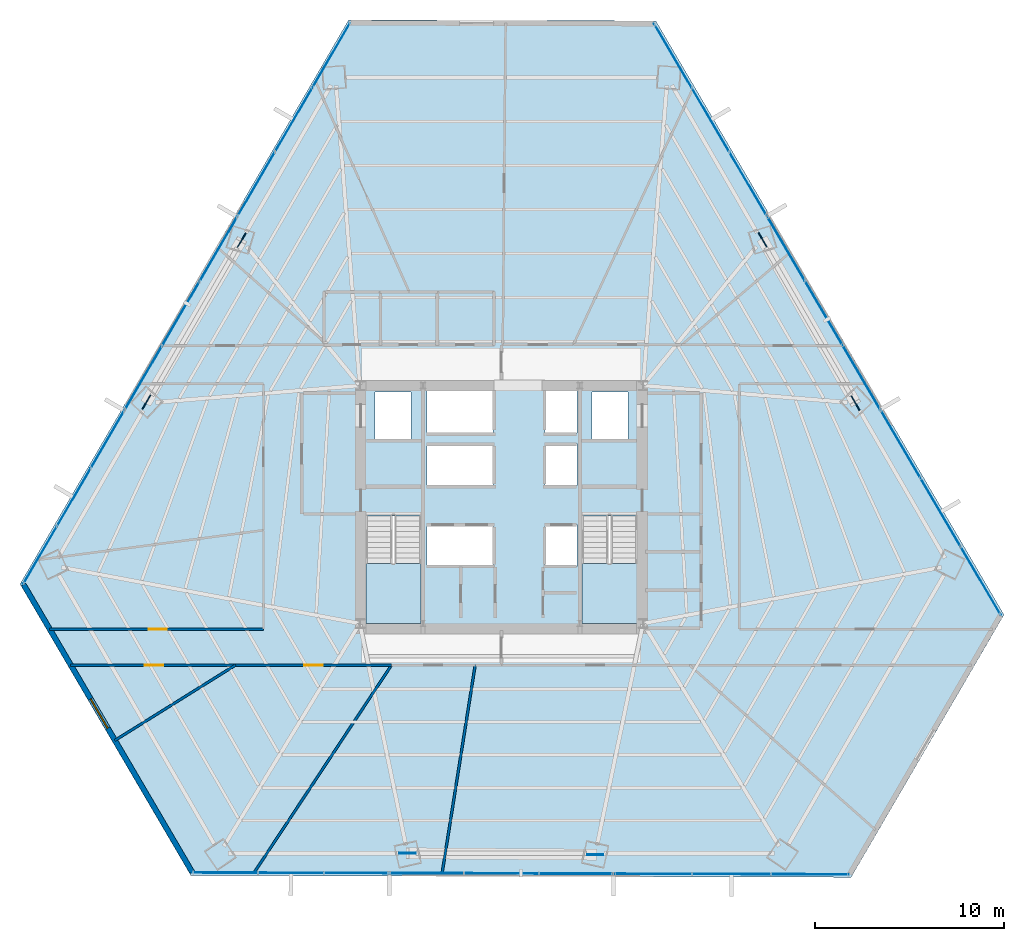
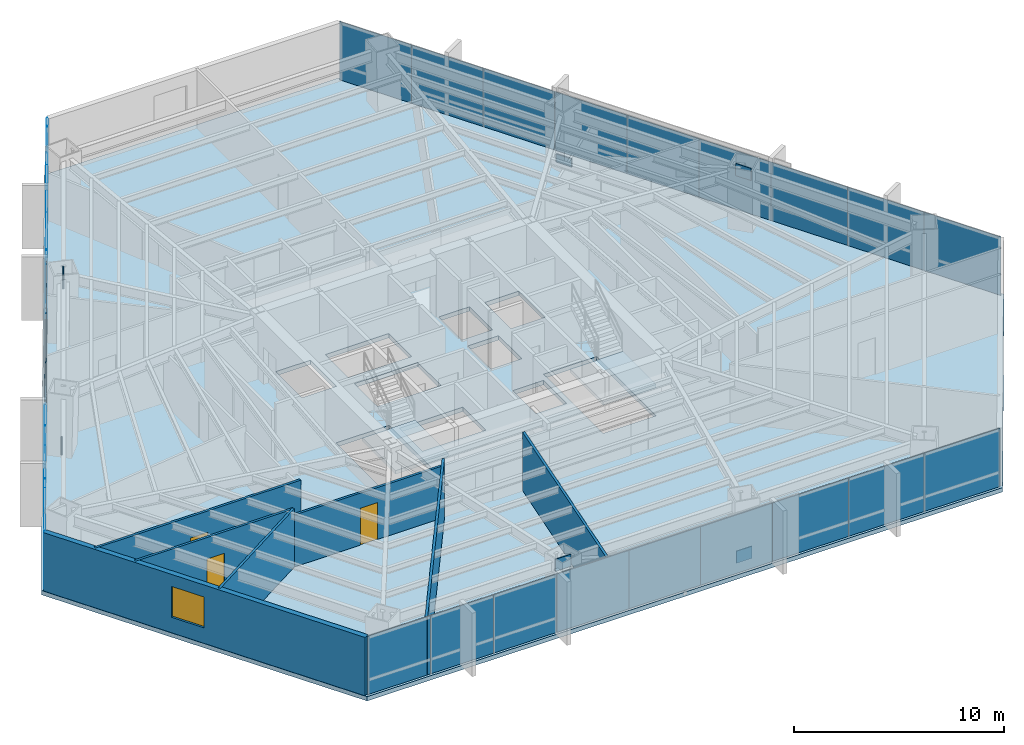
# One storey, part 31 of 37: 33 plates, 7 walls, 3 doors, 3 slabs, 1 window, 4 openings, 11 elements without a shape of their own.
"""IFC4 building model written with IfcOpenShell, lengths in metres."""

import ifcopenshell
import ifcopenshell.guid

model = None  # the IFC model being written
_history = None  # IfcOwnerHistory: only IFC2X3 demands one
_inside = {}  # id of a spatial element -> (the spatial element, [elements in it])
_under = {}  # id of a project, library or spatial element -> (it, [spatial elements below it])
_declared = {}  # id of a project -> (the project, [libraries it declares])
_typed = {}  # id of a type object -> (the type object, [elements of that type])
_made_of = {}  # id of a material, layer set ... -> (it, [elements and type objects made of it])


def new_model(schema):
    """Start an empty IFC model of exactly this schema.

    Asked for "IFC4X3", IfcOpenShell would pick the latest addendum, in which some entities
    have other attributes; the version numbers below select the first issue.
    IFC2X3 requires an IfcOwnerHistory on every rooted entity: one is made here for all.
    """
    global model, _history
    if schema == "IFC4X3":
        model = ifcopenshell.file(schema_version=(4, 3, 0, 0))
    else:
        model = ifcopenshell.file(schema=schema)
    _inside.clear()
    _under.clear()
    _declared.clear()
    _typed.clear()
    _made_of.clear()
    _history = None
    if model.schema == "IFC2X3":
        org = make("IfcOrganization", Name="unknown")
        user = make(
            "IfcPersonAndOrganization",
            ThePerson=make("IfcPerson", FamilyName="unknown"),
            TheOrganization=org,
        )
        app = make(
            "IfcApplication",
            ApplicationDeveloper=org,
            Version="unknown",
            ApplicationFullName="unknown",
            ApplicationIdentifier="unknown",
        )
        _history = make(
            "IfcOwnerHistory",
            OwningUser=user,
            OwningApplication=app,
            ChangeAction="ADDED",
            CreationDate=0,
        )
    return model


def make(cls, **values):
    """One entity of the class cls with the attributes given. An attribute that is None is left unset."""
    return model.create_entity(
        cls, **{name: value for name, value in values.items() if value is not None}
    )


def rooted(cls, **values):
    """An entity with a GlobalId (a new one), such as an element, a storey or a relation."""
    return make(cls, GlobalId=ifcopenshell.guid.new(), OwnerHistory=_history, **values)


def si_unit(unit_type, name, prefix=None):
    """IfcSIUnit, for example si_unit("LENGTHUNIT", "METRE", prefix="MILLI")."""
    return make("IfcSIUnit", UnitType=unit_type, Prefix=prefix, Name=name)


def assignment(units):
    """IfcUnitAssignment: the units of a project."""
    return None if units is None else make("IfcUnitAssignment", Units=units)


def point(xyz):
    """IfcCartesianPoint."""
    return None if xyz is None else make("IfcCartesianPoint", Coordinates=xyz)


def direction(xyz):
    """IfcDirection."""
    return None if xyz is None else make("IfcDirection", DirectionRatios=xyz)


def frame(location, z_axis=None, x_axis=None):
    """IfcAxis2Placement3D, a coordinate frame: its origin and axes. An axis left out is left unset."""
    return make(
        "IfcAxis2Placement3D",
        Location=point(location),
        Axis=direction(z_axis),
        RefDirection=direction(x_axis),
    )


def frame_2d(location, x_axis=None):
    """IfcAxis2Placement2D, a coordinate frame in the plane: its origin and x axis."""
    return make(
        "IfcAxis2Placement2D", Location=point(location), RefDirection=direction(x_axis)
    )


def origin():
    """The frame at (0, 0, 0) with its axes left unset."""
    return frame((0.0, 0.0, 0.0))


def origin_2d():
    """The frame at (0, 0) in the plane with its x axis left unset."""
    return frame_2d((0.0, 0.0))


def place(relative_to, where):
    """IfcLocalPlacement: puts the frame where relative to a parent placement (None: the world)."""
    return make(
        "IfcLocalPlacement", PlacementRelTo=relative_to, RelativePlacement=where
    )


def context(
    kind, dimensions, precision=None, world=None, true_north=None, identifier=None
):
    """IfcGeometricRepresentationContext, for example the 3D "Model" context."""
    return make(
        "IfcGeometricRepresentationContext",
        ContextIdentifier=identifier,
        ContextType=kind,
        CoordinateSpaceDimension=dimensions,
        Precision=precision,
        WorldCoordinateSystem=world,
        TrueNorth=true_north,
    )


def subcontext(parent, identifier, kind, view, scale=None):
    """IfcGeometricRepresentationSubContext, for example "Body" below "Model"."""
    return make(
        "IfcGeometricRepresentationSubContext",
        ContextIdentifier=identifier,
        ContextType=kind,
        ParentContext=parent,
        TargetScale=scale,
        TargetView=view,
    )


def project(units=None, contexts=None):
    """IfcProject with its units and contexts."""
    return rooted(
        "IfcProject",
        Name="project",
        RepresentationContexts=contexts,
        UnitsInContext=assignment(units),
    )


def spatial(cls, under=None, at=None, **own):
    """A site, building, storey or space (cls), placed at a placement, below another one or the project."""
    s = rooted(cls, ObjectPlacement=at, **own)
    if under is not None:
        _under.setdefault(under.id(), (under, []))[1].append(s)
    return s


def polyline(points):
    """IfcPolyline through the points."""
    return make("IfcPolyline", Points=[point(p) for p in points])


def profile(cls, at=None, kind="AREA", **sizes):
    """A parametric profile (cls). Its sizes go by their IFC names, for example OverallWidth=200.0."""
    return make(cls, ProfileType=kind, Position=at, **sizes)


def rectangle(**sizes):
    """IfcRectangleProfileDef."""
    return profile("IfcRectangleProfileDef", **sizes)


def outline(outer, holes=None, kind="AREA"):
    """IfcArbitraryClosedProfileDef: a profile drawn as a closed curve; with holes, ...WithVoids."""
    if holes is None:
        return make("IfcArbitraryClosedProfileDef", ProfileType=kind, OuterCurve=outer)
    return make(
        "IfcArbitraryProfileDefWithVoids",
        ProfileType=kind,
        OuterCurve=outer,
        InnerCurves=holes,
    )


def extrude(swept, where, along, depth):
    """IfcExtrudedAreaSolid: the profile swept, set in the frame where, extruded along a direction by depth."""
    return make(
        "IfcExtrudedAreaSolid",
        SweptArea=swept,
        Position=where,
        ExtrudedDirection=direction(along),
        Depth=depth,
    )


def shape(context_of_items, identifier, shape_type, items):
    """IfcShapeRepresentation: the items that make up one representation, for example the "Body"."""
    return make(
        "IfcShapeRepresentation",
        ContextOfItems=context_of_items,
        RepresentationIdentifier=identifier,
        RepresentationType=shape_type,
        Items=items,
    )


def source(mapping_origin, context_of_items, identifier, shape_type, items):
    """IfcRepresentationMap: a shape defined once, which mapped items show again and again."""
    return make(
        "IfcRepresentationMap",
        MappingOrigin=mapping_origin,
        MappedRepresentation=shape(context_of_items, identifier, shape_type, items),
    )


def transform(
    local_origin,
    x_axis=None,
    y_axis=None,
    z_axis=None,
    scale=None,
    scale2=None,
    scale3=None,
    uniform=True,
):
    """IfcCartesianTransformationOperator3D, or its non-uniform kind. x_axis, y_axis, z_axis: its Axis1, 2, 3."""
    if uniform:
        return make(
            "IfcCartesianTransformationOperator3D",
            Axis1=direction(x_axis),
            Axis2=direction(y_axis),
            LocalOrigin=point(local_origin),
            Scale=scale,
            Axis3=direction(z_axis),
        )
    return make(
        "IfcCartesianTransformationOperator3DnonUniform",
        Axis1=direction(x_axis),
        Axis2=direction(y_axis),
        LocalOrigin=point(local_origin),
        Scale=scale,
        Axis3=direction(z_axis),
        Scale2=scale2,
        Scale3=scale3,
    )


def mapped(mapping_source, mapping_target):
    """IfcMappedItem: shows the shape of a source again, moved by a transform."""
    return make(
        "IfcMappedItem", MappingSource=mapping_source, MappingTarget=mapping_target
    )


def material(Name=None, Category=None):
    """IfcMaterial."""
    return make("IfcMaterial", Name=Name, Category=Category)


def layer(
    of_material, thickness, ventilated=None, Name=None, Category=None, Priority=None
):
    """IfcMaterialLayer: one layer of a wall or slab, of a material (None: an air gap)."""
    return make(
        "IfcMaterialLayer",
        Material=of_material,
        LayerThickness=thickness,
        IsVentilated=ventilated,
        Name=Name,
        Category=Category,
        Priority=Priority,
    )


def layer_set(layers, Name=None):
    """IfcMaterialLayerSet."""
    return make("IfcMaterialLayerSet", MaterialLayers=layers, LayerSetName=Name)


def made_of(thing, what):
    """Note that an element or type object is made of a material, layer set ...; save() writes the relation."""
    if what is not None:
        _made_of.setdefault(what.id(), (what, []))[1].append(thing)
    return thing


def type_object(cls, material=None, **own):
    """A type object (cls), such as IfcWallType, which elements share."""
    return made_of(rooted(cls, **own), material)


def type_shapes(of_type, sources):
    """Give a type object the sources (RepresentationMaps) that its elements show as mapped items."""
    of_type.RepresentationMaps = sources


def element(
    cls,
    number,
    at=None,
    inside=None,
    cuts=None,
    type_object=None,
    material=None,
    context=None,
    identifier="Body",
    shape_type=None,
    held_by="IfcProductDefinitionShape",
    body=None,
    shapes=None,
    **own,
):
    """One element of the class cls, such as IfcWall. Its Tag is "e" and its number.

    at: its placement. inside: the storey or other place that contains it. cuts: it is an
    opening in that element (IfcRelVoidsElement). A single representation is given by context,
    identifier, shape_type and body (its items); several are given by shapes. held_by: the class
    of the entity that holds the representations. save() writes the other relations.
    """
    e = rooted(cls, Tag="e%d" % number, ObjectPlacement=at, **own)
    if body is not None:
        shapes = [shape(context, identifier, shape_type, body)]
    if shapes is not None:
        e.Representation = make(held_by, Representations=shapes)
    if inside is not None:
        _inside.setdefault(inside.id(), (inside, []))[1].append(e)
    if cuts is not None:
        rooted(
            "IfcRelVoidsElement", RelatingBuildingElement=cuts, RelatedOpeningElement=e
        )
    if type_object is not None:
        _typed.setdefault(type_object.id(), (type_object, []))[1].append(e)
    return made_of(e, material)


def fill(opening, filler):
    """IfcRelFillsElement: the door or window that sits in an opening."""
    return rooted(
        "IfcRelFillsElement",
        RelatingOpeningElement=opening,
        RelatedBuildingElement=filler,
    )


def aggregate(whole, parts):
    """IfcRelAggregates: a whole, such as a stair, and the parts it consists of."""
    return rooted("IfcRelAggregates", RelatingObject=whole, RelatedObjects=parts)


def save(model, path):
    """Write the relations noted so far, then the file.

    IfcRelAggregates (storeys below a building ...), IfcRelContainedInSpatialStructure (elements
    in a storey), IfcRelDefinesByType, IfcRelAssociatesMaterial and IfcRelDeclares: one each for
    every whole, place, type object, material and project.
    """
    for whole, parts in _under.values():
        aggregate(whole, parts)
    for where, things in _inside.values():
        rooted(
            "IfcRelContainedInSpatialStructure",
            RelatedElements=things,
            RelatingStructure=where,
        )
    for kind, things in _typed.values():
        rooted("IfcRelDefinesByType", RelatedObjects=things, RelatingType=kind)
    for what, things in _made_of.values():
        rooted("IfcRelAssociatesMaterial", RelatedObjects=things, RelatingMaterial=what)
    for by, libraries in _declared.values():
        rooted("IfcRelDeclares", RelatingContext=by, RelatedDefinitions=libraries)
    model.write(path)


model = new_model("IFC4")

# Units and contexts
model_context = context("Model", 3, precision=1e-05, world=origin(), true_north=direction((0.0, 1.0)))
body_context = subcontext(model_context, "Body", "Model", "MODEL_VIEW")
ifc_project = project(units=[si_unit("LENGTHUNIT", "METRE"), si_unit("AREAUNIT", "SQUARE_METRE"), si_unit("VOLUMEUNIT", "CUBIC_METRE"), si_unit("PLANEANGLEUNIT", "RADIAN"), si_unit("MASSUNIT", "GRAM", prefix="KILO")], contexts=[model_context])

# Site, building, storey
site_placement = place(None, origin())
site = spatial("IfcSite", under=ifc_project, at=site_placement, CompositionType="ELEMENT")
building_placement = place(site_placement, origin())
building = spatial("IfcBuilding", under=site, at=building_placement, Name="Caelisora Broadcast Tower", CompositionType="ELEMENT")
storey_placement = place(building_placement, frame((0.0, 0.0, 45.85009765625)))
storey = spatial("IfcBuildingStorey", under=building, at=storey_placement, Name="L11", CompositionType="ELEMENT", Elevation=45.85009765625)

# Slab
ifc_material_1 = material(Name="Concrete 40 MPa (AS 3600 N40)", Category="concrete")
ifc_layer_1 = layer(ifc_material_1, 0.25, Name="Concrete 40 MPa (AS 3600 N40)")
ifc_layer_set_1 = layer_set([ifc_layer_1], Name="Concrete 40 MPa (AS 3600 N40)")
slab_type_1 = type_object("IfcSlabType", Name="SL04", PredefinedType="FLOOR", material=ifc_layer_set_1)
slab_1_placement = place(storey_placement, frame((0.0, 0.0, -0.25)))
element("IfcSlab", 1, at=slab_1_placement, inside=storey, type_object=slab_type_1, Name="L11 suspended floor SL04", PredefinedType="FLOOR", context=body_context, shape_type="SweptSolid", body=[
    extrude(outline(polyline([(46.174072265625, 49.31103515625), (29.904052734375, 49.35693359375), (12.506103515625, 19.488037109375), (21.550048828125, 4.05908203125), (56.513916015625, 3.9619140625), (64.610107421875, 17.862060546875), (46.174072265625, 49.31103515625)]), holes=[polyline([(30.820068359375, 17.39990234375), (33.739990234375, 17.39990234375), (33.739990234375, 23.080078125), (30.820068359375, 23.080078125), (30.820068359375, 17.39990234375)]), polyline([(42.260009765625, 17.39990234375), (45.179931640625, 17.39990234375), (45.179931640625, 23.080078125), (42.260009765625, 23.080078125), (42.260009765625, 17.39990234375)]), polyline([(42.800048828125, 27.14990234375), (44.699951171875, 27.14990234375), (44.699951171875, 29.64990234375), (42.800048828125, 29.64990234375), (42.800048828125, 27.14990234375)]), polyline([(40.300048828125, 20.429931640625), (42.0, 20.429931640625), (42.0, 22.6298828125), (40.300048828125, 22.6298828125), (40.300048828125, 20.429931640625)]), polyline([(40.300048828125, 24.719970703125), (42.0, 24.719970703125), (42.0, 26.919921875), (40.300048828125, 26.919921875), (40.300048828125, 24.719970703125)]), polyline([(40.300048828125, 27.5), (42.0, 27.5), (42.0, 29.699951171875), (40.300048828125, 29.699951171875), (40.300048828125, 27.5)]), polyline([(34.050048828125, 20.429931640625), (37.550048828125, 20.429931640625), (37.550048828125, 22.6298828125), (34.050048828125, 22.6298828125), (34.050048828125, 20.429931640625)]), polyline([(34.050048828125, 24.719970703125), (37.550048828125, 24.719970703125), (37.550048828125, 26.919921875), (34.050048828125, 26.919921875), (34.050048828125, 24.719970703125)]), polyline([(34.050048828125, 27.5), (37.550048828125, 27.5), (37.550048828125, 29.699951171875), (34.050048828125, 29.699951171875), (34.050048828125, 27.5)]), polyline([(31.300048828125, 27.14990234375), (33.199951171875, 27.14990234375), (33.199951171875, 29.64990234375), (31.300048828125, 29.64990234375), (31.300048828125, 27.14990234375)])]), origin(), (0.0, 0.0, 1.0), 0.25),
])

# Stair, slab
stair_type_1 = type_object("IfcStairType", Name="ST-1", PredefinedType="HALF_TURN_STAIR", material=ifc_material_1)
stair_1_placement = place(storey_placement, origin())
stair_1 = element("IfcStair", 2, at=stair_1_placement, inside=storey, type_object=stair_type_1, Name="L11 West Fire-Isolated Tower Stair", PredefinedType="HALF_TURN_STAIR")
ifc_layer_2 = layer(ifc_material_1, 0.199951171875, Name="Concrete 40 MPa (AS 3600 N40)")
ifc_layer_set_2 = layer_set([ifc_layer_2], Name="Concrete 40 MPa (AS 3600 N40)")
slab_type_2 = type_object("IfcSlabType", Name="STL-1", PredefinedType="LANDING", material=ifc_layer_set_2)
slab_2_placement = place(storey_placement, frame((0.0, 0.0, 1.625)))
slab_2 = element("IfcSlab", 3, at=slab_2_placement, type_object=slab_type_2, Name="ST-1 landing 1", PredefinedType="LANDING", context=body_context, shape_type="SweptSolid", body=[
    extrude(outline(polyline([(30.820068359375, 20.580078125), (30.820068359375, 17.39990234375), (33.739990234375, 17.39990234375), (33.739990234375, 20.580078125), (30.820068359375, 20.580078125)])), origin(), (0.0, 0.0, 1.0), 0.199951171875),
])
aggregate(stair_1, [slab_2])

stair_type_2 = type_object("IfcStairType", Name="ST-2", PredefinedType="HALF_TURN_STAIR", material=ifc_material_1)
stair_2_placement = place(storey_placement, origin())
stair_2 = element("IfcStair", 4, at=stair_2_placement, inside=storey, type_object=stair_type_2, Name="L11 East Fire-Isolated Tower Stair", PredefinedType="HALF_TURN_STAIR")
slab_3_placement = place(storey_placement, frame((0.0, 0.0, 1.625)))
slab_3 = element("IfcSlab", 5, at=slab_3_placement, type_object=slab_type_2, Name="ST-2 landing 1", PredefinedType="LANDING", context=body_context, shape_type="SweptSolid", body=[
    extrude(outline(polyline([(42.260009765625, 20.580078125), (42.260009765625, 17.39990234375), (45.179931640625, 17.39990234375), (45.179931640625, 20.580078125), (42.260009765625, 20.580078125)])), origin(), (0.0, 0.0, 1.0), 0.199951171875),
])
aggregate(stair_2, [slab_3])

# Plates
ifc_material_2 = material(Name="Steel Grade 350 L15 (AS/NZS 3678)", Category="steel")
ifc_layer_3 = layer(ifc_material_2, 0.050048828125, Name="Steel Grade 350 L15 (AS/NZS 3678)")
ifc_layer_set_3 = layer_set([ifc_layer_3], Name="Steel Grade 350 L15 (AS/NZS 3678)")
plate_type_1 = type_object("IfcPlateType", Name="GP03", PredefinedType="USERDEFINED", material=ifc_layer_set_3)
shared_shape_1 = source(origin(), body_context, "Body", "SweptSolid", [
    extrude(rectangle(XDim=0.85009765625, YDim=0.050048828125, at=origin_2d()), origin(), (0.0, 0.0, 1.0), 0.699951171875),
])
type_shapes(plate_type_1, [shared_shape_1])
for number, where, z_axis, x_axis, name in (
    (6, (24.23583984375, 37.6923828125, 2.72998046875), (0.0, 0.0, 1.0), (-0.5, -0.866025403784, 0.0), "L11 gusset plate GP03 (ND-L11-C02T)"),
    (7, (19.205810546875, 29.124267578125, -0.22998046875), (0.0, 0.0, 1.0), (-0.5, -0.866025403784, 0.0), "L11 gusset plate GP03 (ND-L11-C03B)"),
    (8, (33.024169921875, 5.23388671875, 2.72998046875), (0.0, 0.0, 1.0), (1.0, 0.0, 0.0), "L11 gusset plate GP03 (ND-L11-C06T)"),
    (9, (42.95947265625, 5.16162109375, -0.22998046875), (0.0, 0.0, 1.0), (1.0, 0.0, 0.0), "L11 gusset plate GP03 (ND-L11-C07B)"),
    (10, (56.739990234375, 29.073974609375, 2.72998046875), (0.0, 0.0, 1.0), (-0.5, 0.866025403784, 0.0), "L11 gusset plate GP03 (ND-L11-C10T)"),
    (11, (51.8349609375, 37.714111328125, -0.22998046875), (0.0, 0.0, 1.0), (-0.5, 0.866025403784, 0.0), "L11 gusset plate GP03 (ND-L11-C11B)"),
):
    element("IfcPlate", number, at=place(storey_placement, frame(where, z_axis=z_axis, x_axis=x_axis)), inside=storey, type_object=plate_type_1, Name=name, ObjectType="GUSSET PLATE", PredefinedType="USERDEFINED", context=body_context, shape_type="MappedRepresentation", body=[
        mapped(shared_shape_1, transform((0.0, 0.0, 0.0), scale=1.0)),
    ])

# Curtain wall, plates
ifc_material_3 = material(Name="Unitised Aluminium and Low-E Glass Curtain Wall", Category="glass")
curtain_wall_type_1 = type_object("IfcCurtainWallType", Name="CW-Z1", PredefinedType="NOTDEFINED", material=ifc_material_3)
curtain_wall_1_placement = place(storey_placement, origin())
curtain_wall_1 = element("IfcCurtainWall", 12, at=curtain_wall_1_placement, inside=storey, type_object=curtain_wall_type_1, Name="L11 curtain wall CW-Z1", PredefinedType="NOTDEFINED")
ifc_material_4 = material(Name="Double Glazed Low-E Argon IGU", Category="glass")
ifc_layer_4 = layer(ifc_material_4, 0.035888671875, Name="Double Glazed Low-E Argon IGU")
ifc_layer_set_4 = layer_set([ifc_layer_4], Name="Double Glazed Low-E Argon IGU")
plate_type_2 = type_object("IfcPlateType", Name="CWP-02", PredefinedType="CURTAIN_PANEL", material=ifc_layer_set_4)
shared_shape_2 = source(origin(), body_context, "Body", "SweptSolid", [
    extrude(rectangle(XDim=3.933837890625, YDim=0.035888671875, at=origin_2d()), origin(), (0.0, 0.0, 1.0), 3.39990234375),
])
plate_1_placement = place(storey_placement, frame((47.082763671875, 47.464111328125, 0.0), z_axis=(0.0, 0.0, 1.0), x_axis=(0.505732659231, -0.862690255763, 0.0)))
plate_1 = element("IfcPlate", 13, at=plate_1_placement, type_object=plate_type_2, Name="L11-CW-B01 glazed panel #1", PredefinedType="CURTAIN_PANEL", context=body_context, shape_type="MappedRepresentation", body=[
    mapped(shared_shape_2, transform((0.0, 0.0, 0.0), scale=1.0)),
])
plate_2_placement = place(storey_placement, frame((49.072021484375, 44.070556640625, 0.0), z_axis=(0.0, 0.0, 1.0), x_axis=(0.505732659231, -0.862690255763, 0.0)))
plate_2 = element("IfcPlate", 14, at=plate_2_placement, type_object=plate_type_2, Name="L11-CW-B01 glazed panel #2", PredefinedType="CURTAIN_PANEL", context=body_context, shape_type="MappedRepresentation", body=[
    mapped(shared_shape_2, transform((0.0, 0.0, 0.0), scale=1.0)),
])
plate_3_placement = place(storey_placement, frame((51.0615234375, 40.6767578125, 0.0), z_axis=(0.0, 0.0, 1.0), x_axis=(0.505732659231, -0.862690255763, 0.0)))
plate_3 = element("IfcPlate", 15, at=plate_3_placement, type_object=plate_type_2, Name="L11-CW-B01 glazed panel #3", PredefinedType="CURTAIN_PANEL", context=body_context, shape_type="MappedRepresentation", body=[
    mapped(shared_shape_2, transform((0.0, 0.0, 0.0), scale=1.0)),
])
aggregate(curtain_wall_1, [plate_1, plate_2, plate_3])

ifc_material_5 = material(Name="Unitised Aluminium Insulated Shadow-Box Spandrel Curtain Wall", Category="aluminium")
curtain_wall_type_2 = type_object("IfcCurtainWallType", Name="CW-SP1", PredefinedType="NOTDEFINED", material=ifc_material_5)
curtain_wall_2_placement = place(storey_placement, origin())
curtain_wall_2 = element("IfcCurtainWall", 16, at=curtain_wall_2_placement, inside=storey, type_object=curtain_wall_type_2, Name="L11 curtain wall CW-SP1", PredefinedType="NOTDEFINED")
ifc_material_6 = material(Name="Insulated Terracotta Shadow-Box Spandrel Panel", Category="aluminium")
ifc_layer_5 = layer(ifc_material_6, 0.0439453125, Name="Insulated Terracotta Shadow-Box Spandrel Panel")
ifc_layer_set_5 = layer_set([ifc_layer_5], Name="Insulated Terracotta Shadow-Box Spandrel Panel")
plate_type_3 = type_object("IfcPlateType", Name="CWP-10", PredefinedType="CURTAIN_PANEL", material=ifc_layer_set_5)
shared_shape_3 = source(origin(), body_context, "Body", "SweptSolid", [
    extrude(rectangle(XDim=3.952880859375, YDim=0.0439453125, at=origin_2d()), origin(), (0.0, 0.0, 1.0), 3.39990234375),
])
type_shapes(plate_type_3, [shared_shape_3])
plate_4_placement = place(storey_placement, frame((53.060791015625, 37.266357421875, 0.0), z_axis=(0.0, 0.0, 1.0), x_axis=(0.505732659231, -0.862690255763, 0.0)))
plate_4 = element("IfcPlate", 17, at=plate_4_placement, type_object=plate_type_3, Name="L11-CW-B02 spandrel panel #1", PredefinedType="CURTAIN_PANEL", context=body_context, shape_type="MappedRepresentation", body=[
    mapped(shared_shape_3, transform((0.0, 0.0, 0.0), scale=1.0)),
])
plate_5_placement = place(storey_placement, frame((55.059814453125, 33.856201171875, 0.0), z_axis=(0.0, 0.0, 1.0), x_axis=(0.505732659231, -0.862690255763, 0.0)))
plate_5 = element("IfcPlate", 18, at=plate_5_placement, type_object=plate_type_3, Name="L11-CW-B02 spandrel panel #2", PredefinedType="CURTAIN_PANEL", context=body_context, shape_type="MappedRepresentation", body=[
    mapped(shared_shape_3, transform((0.0, 0.0, 0.0), scale=1.0)),
])
plate_6_placement = place(storey_placement, frame((57.05908203125, 30.446044921875, 0.0), z_axis=(0.0, 0.0, 1.0), x_axis=(0.505732659231, -0.862690255763, 0.0)))
plate_6 = element("IfcPlate", 19, at=plate_6_placement, type_object=plate_type_3, Name="L11-CW-B02 spandrel panel #3", PredefinedType="CURTAIN_PANEL", context=body_context, shape_type="MappedRepresentation", body=[
    mapped(shared_shape_3, transform((0.0, 0.0, 0.0), scale=1.0)),
])
aggregate(curtain_wall_2, [plate_4, plate_5, plate_6])

curtain_wall_3_placement = place(storey_placement, origin())
curtain_wall_3 = element("IfcCurtainWall", 20, at=curtain_wall_3_placement, inside=storey, type_object=curtain_wall_type_2, Name="L11 curtain wall CW-SP1", PredefinedType="NOTDEFINED")
plate_7_placement = place(storey_placement, frame((41.9501953125, 4.15234375, 0.0), z_axis=(0.0, 0.0, 1.0), x_axis=(-0.9999961009, 0.002792523174, 0.0)))
plate_7 = element("IfcPlate", 21, at=plate_7_placement, type_object=plate_type_3, Name="L11-CW-B06 spandrel panel #1", PredefinedType="CURTAIN_PANEL", context=body_context, shape_type="MappedRepresentation", body=[
    mapped(shared_shape_3, transform((0.0, 0.0, 0.0), scale=1.0)),
])
plate_8_placement = place(storey_placement, frame((37.997314453125, 4.163330078125, 0.0), z_axis=(0.0, 0.0, 1.0), x_axis=(-0.9999961009, 0.002792523174, 0.0)))
plate_8 = element("IfcPlate", 22, at=plate_8_placement, type_object=plate_type_3, Name="L11-CW-B06 spandrel panel #2", PredefinedType="CURTAIN_PANEL", context=body_context, shape_type="MappedRepresentation", body=[
    mapped(shared_shape_3, transform((0.0, 0.0, 0.0), scale=1.0)),
])
plate_9_placement = place(storey_placement, frame((34.044189453125, 4.17431640625, 0.0), z_axis=(0.0, 0.0, 1.0), x_axis=(-0.9999961009, 0.002792523174, 0.0)))
plate_9 = element("IfcPlate", 23, at=plate_9_placement, type_object=plate_type_3, Name="L11-CW-B06 spandrel panel #3", PredefinedType="CURTAIN_PANEL", context=body_context, shape_type="MappedRepresentation", body=[
    mapped(shared_shape_3, transform((0.0, 0.0, 0.0), scale=1.0)),
])
aggregate(curtain_wall_3, [plate_7, plate_8, plate_9])

curtain_wall_4_placement = place(storey_placement, origin())
curtain_wall_4 = element("IfcCurtainWall", 24, at=curtain_wall_4_placement, inside=storey, type_object=curtain_wall_type_2, Name="L11 curtain wall CW-SP1", PredefinedType="NOTDEFINED")
plate_10_placement = place(storey_placement, frame((19.030517578125, 30.39111328125, 0.0), z_axis=(0.0, 0.0, 1.0), x_axis=(0.503321604797, 0.864099162217, 0.0)))
plate_10 = element("IfcPlate", 25, at=plate_10_placement, type_object=plate_type_3, Name="L11-CW-B10 spandrel panel #1", PredefinedType="CURTAIN_PANEL", context=body_context, shape_type="MappedRepresentation", body=[
    mapped(shared_shape_3, transform((0.0, 0.0, 0.0), scale=1.0)),
])
plate_11_placement = place(storey_placement, frame((21.02001953125, 33.806884765625, 0.0), z_axis=(0.0, 0.0, 1.0), x_axis=(0.503321604797, 0.864099162217, 0.0)))
plate_11 = element("IfcPlate", 26, at=plate_11_placement, type_object=plate_type_3, Name="L11-CW-B10 spandrel panel #2", PredefinedType="CURTAIN_PANEL", context=body_context, shape_type="MappedRepresentation", body=[
    mapped(shared_shape_3, transform((0.0, 0.0, 0.0), scale=1.0)),
])
plate_12_placement = place(storey_placement, frame((23.009521484375, 37.222412109375, 0.0), z_axis=(0.0, 0.0, 1.0), x_axis=(0.503321604797, 0.864099162217, 0.0)))
plate_12 = element("IfcPlate", 27, at=plate_12_placement, type_object=plate_type_3, Name="L11-CW-B10 spandrel panel #3", PredefinedType="CURTAIN_PANEL", context=body_context, shape_type="MappedRepresentation", body=[
    mapped(shared_shape_3, transform((0.0, 0.0, 0.0), scale=1.0)),
])
aggregate(curtain_wall_4, [plate_10, plate_11, plate_12])

curtain_wall_5_placement = place(storey_placement, origin())
curtain_wall_5 = element("IfcCurtainWall", 28, at=curtain_wall_5_placement, inside=storey, type_object=curtain_wall_type_1, Name="L11 curtain wall CW-Z1", PredefinedType="NOTDEFINED")
shared_shape_4 = source(origin(), body_context, "Body", "SweptSolid", [
    extrude(rectangle(XDim=4.2001953125, YDim=0.035888671875, at=origin_2d()), origin(), (0.0, 0.0, 1.0), 3.39990234375),
])
plate_13_placement = place(storey_placement, frame((59.125732421875, 26.920654296875, 0.0), z_axis=(0.0, 0.0, 1.0), x_axis=(0.505732659231, -0.862690255763, 0.0)))
plate_13 = element("IfcPlate", 29, at=plate_13_placement, type_object=plate_type_2, Name="L11-CW-B03 glazed panel #1", PredefinedType="CURTAIN_PANEL", context=body_context, shape_type="MappedRepresentation", body=[
    mapped(shared_shape_4, transform((0.0, 0.0, 0.0), scale=1.0)),
])
plate_14_placement = place(storey_placement, frame((61.249755859375, 23.297119140625, 0.0), z_axis=(0.0, 0.0, 1.0), x_axis=(0.505732659231, -0.862690255763, 0.0)))
plate_14 = element("IfcPlate", 30, at=plate_14_placement, type_object=plate_type_2, Name="L11-CW-B03 glazed panel #2", PredefinedType="CURTAIN_PANEL", context=body_context, shape_type="MappedRepresentation", body=[
    mapped(shared_shape_4, transform((0.0, 0.0, 0.0), scale=1.0)),
])
plate_15_placement = place(storey_placement, frame((63.373779296875, 19.673583984375, 0.0), z_axis=(0.0, 0.0, 1.0), x_axis=(0.505732659231, -0.862690255763, 0.0)))
plate_15 = element("IfcPlate", 31, at=plate_15_placement, type_object=plate_type_2, Name="L11-CW-B03 glazed panel #3", PredefinedType="CURTAIN_PANEL", context=body_context, shape_type="MappedRepresentation", body=[
    mapped(shared_shape_4, transform((0.0, 0.0, 0.0), scale=1.0)),
])
aggregate(curtain_wall_5, [plate_13, plate_14, plate_15])

curtain_wall_6_placement = place(storey_placement, origin())
curtain_wall_6 = element("IfcCurtainWall", 32, at=curtain_wall_6_placement, inside=storey, type_object=curtain_wall_type_1, Name="L11 curtain wall CW-Z1", PredefinedType="NOTDEFINED")
shared_shape_5 = source(origin(), body_context, "Body", "SweptSolid", [
    extrude(rectangle(XDim=4.163818359375, YDim=0.035888671875, at=origin_2d()), origin(), (0.0, 0.0, 1.0), 3.39990234375),
])
plate_16_placement = place(storey_placement, frame((54.34619140625, 4.117919921875, 0.0), z_axis=(0.0, 0.0, 1.0), x_axis=(-0.9999961009, 0.002792523174, 0.0)))
plate_16 = element("IfcPlate", 33, at=plate_16_placement, type_object=plate_type_2, Name="L11-CW-B05 glazed panel #1", PredefinedType="CURTAIN_PANEL", context=body_context, shape_type="MappedRepresentation", body=[
    mapped(shared_shape_5, transform((0.0, 0.0, 0.0), scale=1.0)),
])
plate_17_placement = place(storey_placement, frame((50.182373046875, 4.12939453125, 0.0), z_axis=(0.0, 0.0, 1.0), x_axis=(-0.9999961009, 0.002792523174, 0.0)))
plate_17 = element("IfcPlate", 34, at=plate_17_placement, type_object=plate_type_2, Name="L11-CW-B05 glazed panel #2", PredefinedType="CURTAIN_PANEL", context=body_context, shape_type="MappedRepresentation", body=[
    mapped(shared_shape_5, transform((0.0, 0.0, 0.0), scale=1.0)),
])
plate_18_placement = place(storey_placement, frame((46.0185546875, 4.14111328125, 0.0), z_axis=(0.0, 0.0, 1.0), x_axis=(-0.9999961009, 0.002792523174, 0.0)))
plate_18 = element("IfcPlate", 35, at=plate_18_placement, type_object=plate_type_2, Name="L11-CW-B05 glazed panel #3", PredefinedType="CURTAIN_PANEL", context=body_context, shape_type="MappedRepresentation", body=[
    mapped(shared_shape_5, transform((0.0, 0.0, 0.0), scale=1.0)),
])
aggregate(curtain_wall_6, [plate_16, plate_17, plate_18])

curtain_wall_7_placement = place(storey_placement, origin())
curtain_wall_7 = element("IfcCurtainWall", 36, at=curtain_wall_7_placement, inside=storey, type_object=curtain_wall_type_1, Name="L11 curtain wall CW-Z1", PredefinedType="NOTDEFINED")
shared_shape_6 = source(origin(), body_context, "Body", "SweptSolid", [
    extrude(rectangle(XDim=3.47412109375, YDim=0.035888671875, at=origin_2d()), origin(), (0.0, 0.0, 1.0), 3.39990234375),
])
plate_19_placement = place(storey_placement, frame((30.32080078125, 4.184814453125, 0.0), z_axis=(0.0, 0.0, 1.0), x_axis=(-0.9999961009, 0.002792523174, 0.0)))
plate_19 = element("IfcPlate", 37, at=plate_19_placement, type_object=plate_type_2, Name="L11-CW-B07 glazed panel #1", PredefinedType="CURTAIN_PANEL", context=body_context, shape_type="MappedRepresentation", body=[
    mapped(shared_shape_6, transform((0.0, 0.0, 0.0), scale=1.0)),
])
plate_20_placement = place(storey_placement, frame((26.846923828125, 4.194580078125, 0.0), z_axis=(0.0, 0.0, 1.0), x_axis=(-0.9999961009, 0.002792523174, 0.0)))
plate_20 = element("IfcPlate", 38, at=plate_20_placement, type_object=plate_type_2, Name="L11-CW-B07 glazed panel #2", PredefinedType="CURTAIN_PANEL", context=body_context, shape_type="MappedRepresentation", body=[
    mapped(shared_shape_6, transform((0.0, 0.0, 0.0), scale=1.0)),
])
plate_21_placement = place(storey_placement, frame((23.373046875, 4.2041015625, 0.0), z_axis=(0.0, 0.0, 1.0), x_axis=(-0.9999961009, 0.002792523174, 0.0)))
plate_21 = element("IfcPlate", 39, at=plate_21_placement, type_object=plate_type_2, Name="L11-CW-B07 glazed panel #3", PredefinedType="CURTAIN_PANEL", context=body_context, shape_type="MappedRepresentation", body=[
    mapped(shared_shape_6, transform((0.0, 0.0, 0.0), scale=1.0)),
])
aggregate(curtain_wall_7, [plate_19, plate_20, plate_21])

curtain_wall_8_placement = place(storey_placement, origin())
curtain_wall_8 = element("IfcCurtainWall", 40, at=curtain_wall_8_placement, inside=storey, type_object=curtain_wall_type_1, Name="L11 curtain wall CW-Z1", PredefinedType="NOTDEFINED")
shared_shape_7 = source(origin(), body_context, "Body", "SweptSolid", [
    extrude(rectangle(XDim=3.543701171875, YDim=0.035888671875, at=origin_2d()), origin(), (0.0, 0.0, 1.0), 3.39990234375),
])
plate_22_placement = place(storey_placement, frame((13.57177734375, 21.01904296875, 0.0), z_axis=(0.0, 0.0, 1.0), x_axis=(0.503321604797, 0.864099162217, 0.0)))
plate_22 = element("IfcPlate", 41, at=plate_22_placement, type_object=plate_type_2, Name="L11-CW-B09 glazed panel #1", PredefinedType="CURTAIN_PANEL", context=body_context, shape_type="MappedRepresentation", body=[
    mapped(shared_shape_7, transform((0.0, 0.0, 0.0), scale=1.0)),
])
plate_23_placement = place(storey_placement, frame((15.35546875, 24.081298828125, 0.0), z_axis=(0.0, 0.0, 1.0), x_axis=(0.503321604797, 0.864099162217, 0.0)))
plate_23 = element("IfcPlate", 42, at=plate_23_placement, type_object=plate_type_2, Name="L11-CW-B09 glazed panel #2", PredefinedType="CURTAIN_PANEL", context=body_context, shape_type="MappedRepresentation", body=[
    mapped(shared_shape_7, transform((0.0, 0.0, 0.0), scale=1.0)),
])
plate_24_placement = place(storey_placement, frame((17.138916015625, 27.143310546875, 0.0), z_axis=(0.0, 0.0, 1.0), x_axis=(0.503321604797, 0.864099162217, 0.0)))
plate_24 = element("IfcPlate", 43, at=plate_24_placement, type_object=plate_type_2, Name="L11-CW-B09 glazed panel #3", PredefinedType="CURTAIN_PANEL", context=body_context, shape_type="MappedRepresentation", body=[
    mapped(shared_shape_7, transform((0.0, 0.0, 0.0), scale=1.0)),
])
aggregate(curtain_wall_8, [plate_22, plate_23, plate_24])

curtain_wall_9_placement = place(storey_placement, origin())
curtain_wall_9 = element("IfcCurtainWall", 44, at=curtain_wall_9_placement, inside=storey, type_object=curtain_wall_type_1, Name="L11 curtain wall CW-Z1", PredefinedType="NOTDEFINED")
shared_shape_8 = source(origin(), body_context, "Body", "SweptSolid", [
    extrude(rectangle(XDim=3.9609375, YDim=0.035888671875, at=origin_2d()), origin(), (0.0, 0.0, 1.0), 3.39990234375),
])
type_shapes(plate_type_2, [shared_shape_2, shared_shape_4, shared_shape_5, shared_shape_6, shared_shape_7, shared_shape_8])
plate_25_placement = place(storey_placement, frame((25.006103515625, 40.650390625, 0.0), z_axis=(0.0, 0.0, 1.0), x_axis=(0.503321604797, 0.864099162217, 0.0)))
plate_25 = element("IfcPlate", 45, at=plate_25_placement, type_object=plate_type_2, Name="L11-CW-B11 glazed panel #1", PredefinedType="CURTAIN_PANEL", context=body_context, shape_type="MappedRepresentation", body=[
    mapped(shared_shape_8, transform((0.0, 0.0, 0.0), scale=1.0)),
])
plate_26_placement = place(storey_placement, frame((26.999755859375, 44.072998046875, 0.0), z_axis=(0.0, 0.0, 1.0), x_axis=(0.503321604797, 0.864099162217, 0.0)))
plate_26 = element("IfcPlate", 46, at=plate_26_placement, type_object=plate_type_2, Name="L11-CW-B11 glazed panel #2", PredefinedType="CURTAIN_PANEL", context=body_context, shape_type="MappedRepresentation", body=[
    mapped(shared_shape_8, transform((0.0, 0.0, 0.0), scale=1.0)),
])
plate_27_placement = place(storey_placement, frame((28.9931640625, 47.49560546875, 0.0), z_axis=(0.0, 0.0, 1.0), x_axis=(0.503321604797, 0.864099162217, 0.0)))
plate_27 = element("IfcPlate", 47, at=plate_27_placement, type_object=plate_type_2, Name="L11-CW-B11 glazed panel #3", PredefinedType="CURTAIN_PANEL", context=body_context, shape_type="MappedRepresentation", body=[
    mapped(shared_shape_8, transform((0.0, 0.0, 0.0), scale=1.0)),
])
aggregate(curtain_wall_9, [plate_25, plate_26, plate_27])

# Wall, opening, window
ifc_material_7 = material(Name="Insulated Terracotta Spandrel Wall System", Category="masonry")
ifc_layer_6 = layer(ifc_material_7, 0.280029296875, Name="Insulated Terracotta Spandrel Wall System")
ifc_layer_set_6 = layer_set([ifc_layer_6], Name="Insulated Terracotta Spandrel Wall System")
wall_type_1 = type_object("IfcWallType", Name="EW1", PredefinedType="STANDARD", material=ifc_layer_set_6)
wall_1_placement = place(storey_placement, frame((21.620849609375, 4.23486328125, 0.0), z_axis=(0.0, 0.0, 1.0), x_axis=(-0.505685421097, 0.862717946313, 0.0)))
wall_1 = element("IfcWall", 48, at=wall_1_placement, inside=storey, type_object=wall_type_1, Name="L11 exterior envelope wall EW1", PredefinedType="STANDARD", context=body_context, shape_type="SweptSolid", body=[
    extrude(rectangle(XDim=17.650390625, YDim=0.280029296875, at=frame_2d((8.8251953125, 0.0))), origin(), (0.0, 0.0, 1.0), 3.39990234375),
])
opening_1_placement = place(wall_1_placement, frame((8.830078125, 0.0, 0.89990234375)))
opening_1 = element("IfcOpeningElement", 49, at=opening_1_placement, cuts=wall_1, Name="Opening W01", PredefinedType="OPENING", context=body_context, shape_type="SweptSolid", body=[
    extrude(rectangle(XDim=1.800048828125, YDim=1.800048828125, at=frame_2d((0.89990234375, 0.89990234375))), frame((0.0, 0.152099609375, 0.0), z_axis=(0.0, -1.0, 0.0), x_axis=(1.0, 0.0, 0.0)), (0.0, 0.0, 1.0), 0.303955078125),
])
ifc_material_8 = material(Name="Double Glazed Terracotta-Framed Vision Window", Category="glass")
window_type = type_object("IfcWindowType", Name="W01", PartitioningType="SINGLE_PANEL", PredefinedType="WINDOW", material=ifc_material_8)
window_placement = place(opening_1_placement, origin())
window = element("IfcWindow", 50, at=window_placement, inside=storey, type_object=window_type, Name="L11 window W01 (L11-WN-CH4)", OverallHeight=1.800048828125, OverallWidth=1.800048828125, PartitioningType="SINGLE_PANEL", PredefinedType="WINDOW", context=body_context, shape_type="SweptSolid", body=[
    extrude(rectangle(XDim=1.800048828125, YDim=1.800048828125, at=frame_2d((0.89990234375, 0.89990234375))), frame((0.0, 0.030029296875, 0.0), z_axis=(0.0, -1.0, 0.0), x_axis=(1.0, 0.0, 0.0)), (0.0, 0.0, 1.0), 0.06005859375),
])
fill(opening_1, window)

# Wall
ifc_material_9 = material(Name="Acoustic Steel-Stud Plasterboard Partition", Category="gypsum")
ifc_layer_7 = layer(ifc_material_9, 0.1298828125, Name="Acoustic Steel-Stud Plasterboard Partition")
ifc_layer_set_7 = layer_set([ifc_layer_7], Name="Acoustic Steel-Stud Plasterboard Partition")
wall_type_2 = type_object("IfcWallType", Name="PW3", PredefinedType="PARTITIONING", material=ifc_layer_set_7)
wall_2_placement = place(storey_placement, frame((24.892578125, 4.194580078125, 0.0), z_axis=(0.0, 0.0, 1.0), x_axis=(0.552079960435, 0.833791171269, 0.0)))
element("IfcWall", 51, at=wall_2_placement, inside=storey, type_object=wall_type_2, Name="L11 internal partition PW3", PredefinedType="PARTITIONING", context=body_context, shape_type="SweptSolid", body=[
    extrude(rectangle(XDim=13.194580078125, YDim=0.1298828125, at=frame_2d((6.59716796875, 0.0))), origin(), (0.0, 0.0, 1.0), 3.39990234375),
])

# Wall, opening, door
wall_3_placement = place(storey_placement, frame((14.07373046875, 17.10009765625, 0.0), z_axis=(0.0, 0.0, 1.0), x_axis=(1.0, 0.0, 0.0)))
wall_3 = element("IfcWall", 52, at=wall_3_placement, inside=storey, type_object=wall_type_2, Name="L11 internal partition PW3", PredefinedType="PARTITIONING", context=body_context, shape_type="SweptSolid", body=[
    extrude(rectangle(XDim=11.3212890625, YDim=0.1298828125, at=frame_2d((5.66064453125, 0.0))), origin(), (0.0, 0.0, 1.0), 3.39990234375),
])
opening_2_placement = place(wall_3_placement, frame((5.237060546875, 0.0, 0.0)))
opening_2 = element("IfcOpeningElement", 53, at=opening_2_placement, cuts=wall_3, Name="Opening D01", PredefinedType="OPENING", context=body_context, shape_type="SweptSolid", body=[
    extrude(rectangle(XDim=0.9599609375, YDim=2.14990234375, at=frame_2d((0.47998046875, 1.074951171875))), frame((0.0, 0.076904296875, 0.0), z_axis=(0.0, -1.0, 0.0), x_axis=(1.0, 0.0, 0.0)), (0.0, 0.0, 1.0), 0.15380859375),
])
ifc_material_10 = material(Name="Solid-Core Timber Acoustic Office Door", Category="wood")
door_type = type_object("IfcDoorType", Name="D01", OperationType="NOTDEFINED", PredefinedType="DOOR", material=ifc_material_10)
door_1_placement = place(opening_2_placement, origin())
door_1 = element("IfcDoor", 54, at=door_1_placement, inside=storey, type_object=door_type, Name="L11 door D01 (L11-DR-P39D1)", OperationType="SINGLE_SWING_LEFT", OverallHeight=2.14990234375, OverallWidth=0.9599609375, PredefinedType="DOOR", context=body_context, shape_type="SweptSolid", body=[
    extrude(rectangle(XDim=0.9599609375, YDim=2.14990234375, at=frame_2d((0.47998046875, 1.074951171875))), frame((0.0, 0.02490234375, 0.0), z_axis=(0.0, -1.0, 0.0), x_axis=(1.0, 0.0, 0.0)), (0.0, 0.0, 1.0), 0.050048828125),
])
fill(opening_2, door_1)

# Wall
wall_4_placement = place(storey_placement, frame((34.85546875, 4.1669921875, 0.0), z_axis=(0.0, 0.0, 1.0), x_axis=(0.15702345278, 0.987594874064, 0.0)))
element("IfcWall", 55, at=wall_4_placement, inside=storey, type_object=wall_type_2, Name="L11 internal partition PW3", PredefinedType="PARTITIONING", context=body_context, shape_type="SweptSolid", body=[
    extrude(rectangle(XDim=11.16650390625, YDim=0.1298828125, at=frame_2d((5.583251953125, 0.0))), origin(), (0.0, 0.0, 1.0), 3.39990234375),
])

# Wall, opening, door
wall_5_placement = place(storey_placement, frame((15.1875, 15.199951171875, 0.0), z_axis=(0.0, 0.0, 1.0), x_axis=(1.0, 0.0, 0.0)))
wall_5 = element("IfcWall", 56, at=wall_5_placement, inside=storey, type_object=wall_type_2, Name="L11 internal partition PW3", PredefinedType="PARTITIONING", context=body_context, shape_type="SweptSolid", body=[
    extrude(rectangle(XDim=8.7275390625, YDim=0.1298828125, at=frame_2d((4.36376953125, 0.0))), origin(), (0.0, 0.0, 1.0), 3.39990234375),
])
opening_3_placement = place(wall_5_placement, frame((3.93701171875, 0.0, 0.0)))
opening_3 = element("IfcOpeningElement", 57, at=opening_3_placement, cuts=wall_5, Name="Opening D01", PredefinedType="OPENING", context=body_context, shape_type="SweptSolid", body=[
    extrude(rectangle(XDim=0.9599609375, YDim=2.14990234375, at=frame_2d((0.47998046875, 1.074951171875))), frame((0.0, 0.076904296875, 0.0), z_axis=(0.0, -1.0, 0.0), x_axis=(1.0, 0.0, 0.0)), (0.0, 0.0, 1.0), 0.15380859375),
])
door_2_placement = place(opening_3_placement, origin())
door_2 = element("IfcDoor", 58, at=door_2_placement, inside=storey, type_object=door_type, Name="L11 door D01 (L11-DR-P42D1)", OperationType="SINGLE_SWING_LEFT", OverallHeight=2.14990234375, OverallWidth=0.9599609375, PredefinedType="DOOR", context=body_context, shape_type="SweptSolid", body=[
    extrude(rectangle(XDim=0.9599609375, YDim=2.14990234375, at=frame_2d((0.47998046875, 1.074951171875))), frame((0.0, 0.02490234375, 0.0), z_axis=(0.0, -1.0, 0.0), x_axis=(1.0, 0.0, 0.0)), (0.0, 0.0, 1.0), 0.050048828125),
])
fill(opening_3, door_2)

wall_6_placement = place(storey_placement, frame((23.925048828125, 15.199951171875, 0.0), z_axis=(0.0, 0.0, 1.0), x_axis=(1.0, 0.0, 0.0)))
wall_6 = element("IfcWall", 59, at=wall_6_placement, inside=storey, type_object=wall_type_2, Name="L11 internal partition PW3", PredefinedType="PARTITIONING", context=body_context, shape_type="SweptSolid", body=[
    extrude(rectangle(XDim=8.25, YDim=0.1298828125, at=frame_2d((4.125, 0.0))), origin(), (0.0, 0.0, 1.0), 3.0263671875),
])
opening_4_placement = place(wall_6_placement, frame((3.64501953125, 0.0, 0.0)))
opening_4 = element("IfcOpeningElement", 60, at=opening_4_placement, cuts=wall_6, Name="Opening D01", PredefinedType="OPENING", context=body_context, shape_type="SweptSolid", body=[
    extrude(rectangle(XDim=0.9599609375, YDim=2.14990234375, at=frame_2d((0.47998046875, 1.074951171875))), frame((0.0, 0.076904296875, 0.0), z_axis=(0.0, -1.0, 0.0), x_axis=(1.0, 0.0, 0.0)), (0.0, 0.0, 1.0), 0.15380859375),
])
door_3_placement = place(opening_4_placement, origin())
door_3 = element("IfcDoor", 61, at=door_3_placement, inside=storey, type_object=door_type, Name="L11 door D01 (L11-DR-P43D1)", OperationType="SINGLE_SWING_RIGHT", OverallHeight=2.14990234375, OverallWidth=0.9599609375, PredefinedType="DOOR", context=body_context, shape_type="SweptSolid", body=[
    extrude(rectangle(XDim=0.9599609375, YDim=2.14990234375, at=frame_2d((0.47998046875, 1.074951171875))), frame((0.0, 0.02490234375, 0.0), z_axis=(0.0, -1.0, 0.0), x_axis=(1.0, 0.0, 0.0)), (0.0, 0.0, 1.0), 0.050048828125),
])
fill(opening_4, door_3)

# Wall
wall_7_placement = place(storey_placement, frame((17.52734375, 11.208251953125, 0.0), z_axis=(0.0, 0.0, 1.0), x_axis=(0.848245879552, 0.52960261312, 0.0)))
element("IfcWall", 62, at=wall_7_placement, inside=storey, type_object=wall_type_2, Name="L11 internal partition PW3", PredefinedType="PARTITIONING", context=body_context, shape_type="SweptSolid", body=[
    extrude(rectangle(XDim=7.53173828125, YDim=0.1298828125, at=frame_2d((3.765869140625, 0.0))), origin(), (0.0, 0.0, 1.0), 3.39990234375),
])

save(model, "model.ifc")
